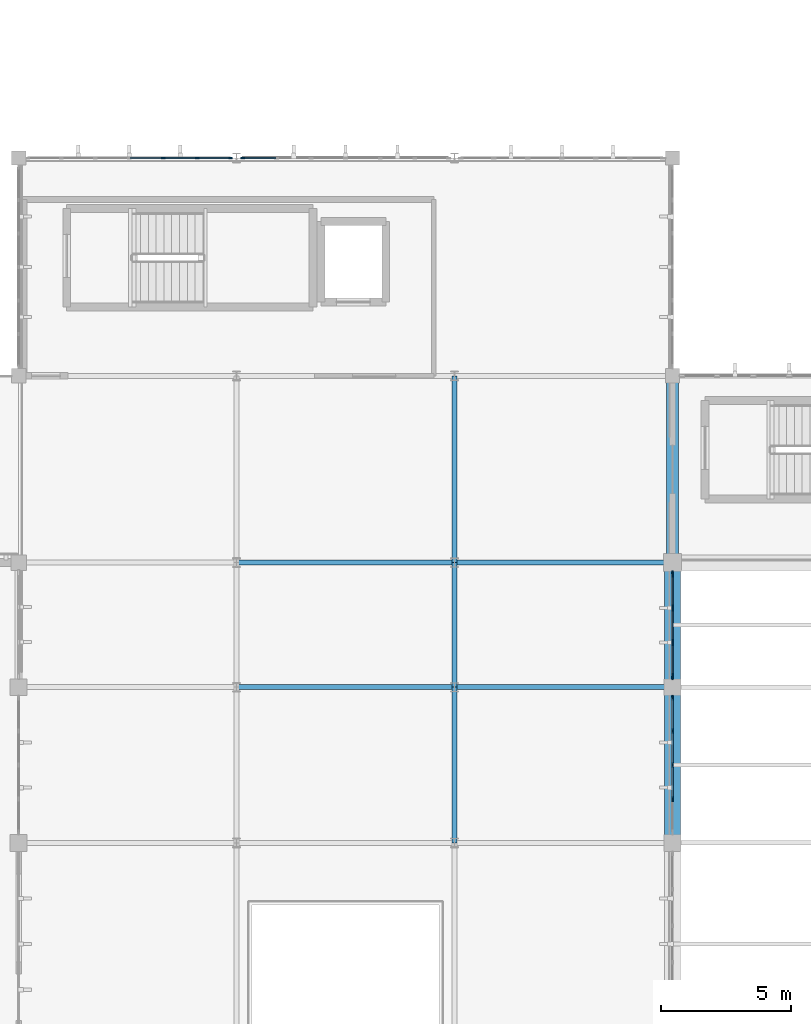
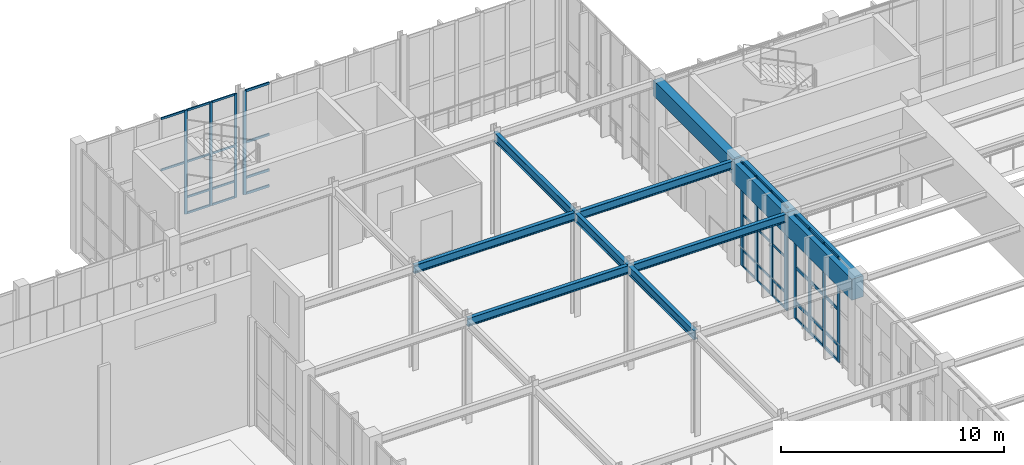
# One storey, part 36 of 105: 50 members, 10 beams, 4 elements without a shape of their own.
"""IFC4 building model written with IfcOpenShell, lengths in metres."""

from ifc_helpers import new_model, si_unit, direction, frame, origin, origin_2d, place, context, subcontext, project, spatial, rectangle, i_section, extrude, material, material_profile, profile_set, type_object, element, aggregate, save


model = new_model("IFC4")

# Units and contexts
model_context = context("Model", 3, precision=1e-05, world=origin(), true_north=direction((0.0, 1.0)))
body_context = subcontext(model_context, "Body", "Model", "MODEL_VIEW")
ifc_project = project(units=[si_unit("LENGTHUNIT", "METRE"), si_unit("AREAUNIT", "SQUARE_METRE"), si_unit("VOLUMEUNIT", "CUBIC_METRE"), si_unit("PLANEANGLEUNIT", "RADIAN"), si_unit("MASSUNIT", "GRAM", prefix="KILO")], contexts=[model_context])

# Site, building, storey
site_placement = place(None, origin())
site = spatial("IfcSite", under=ifc_project, at=site_placement, CompositionType="ELEMENT")
building_placement = place(site_placement, origin())
building = spatial("IfcBuilding", under=site, at=building_placement, Name="Tizgana Railside Sports Hall", CompositionType="ELEMENT")
storey_placement = place(building_placement, frame((0.0, 0.0, 6.0)))
storey = spatial("IfcBuildingStorey", under=building, at=storey_placement, Name="L01", CompositionType="ELEMENT", Elevation=6.0)

# Beams
ifc_material_1 = material(Name="Concrete C40/50", Category="concrete")
ifc_material_profile_1 = material_profile(ifc_material_1, rectangle(XDim=0.449951171875, YDim=0.85009765625, at=origin_2d()), Name="RCB 450x850")
ifc_profile_set_1 = profile_set([ifc_material_profile_1], Name="Concrete C40/50")
beam_type_1 = type_object("IfcBeamType", Name="Concrete Beam RCB 450x850", PredefinedType="BEAM", material=ifc_profile_set_1)
beam_1_placement = place(storey_placement, frame((79.800048828125, 73.199951171875, 5.2109375), z_axis=(0.0, 1.0, 0.0), x_axis=(-1.0, 0.0, 0.0)))
element("IfcBeam", 1, at=beam_1_placement, inside=storey, type_object=beam_type_1, Name="L01 BEM-0249", PredefinedType="BEAM", context=body_context, shape_type="SweptSolid", body=[
    extrude(rectangle(XDim=0.449951171875, YDim=0.85009765625, at=origin_2d()), origin(), (0.0, 0.0, 1.0), 7.199951171875),
])
ifc_material_profile_2 = material_profile(ifc_material_1, rectangle(XDim=0.60009765625, YDim=1.14990234375, at=origin_2d()), Name="RCB 600x1150")
ifc_profile_set_2 = profile_set([ifc_material_profile_2], Name="Concrete C40/50")
beam_type_2 = type_object("IfcBeamType", Name="Concrete Beam RCB 600x1150", PredefinedType="BEAM", material=ifc_profile_set_2)
beam_2_placement = place(storey_placement, frame((79.800048828125, 62.39990234375, 5.06103515625), z_axis=(0.0, 1.0, 0.0), x_axis=(-1.0, 0.0, 0.0)))
element("IfcBeam", 2, at=beam_2_placement, inside=storey, type_object=beam_type_2, Name="L01 CBG-0004", PredefinedType="BEAM", context=body_context, shape_type="SweptSolid", body=[
    extrude(rectangle(XDim=0.60009765625, YDim=1.14990234375, at=origin_2d()), origin(), (0.0, 0.0, 1.0), 6.0),
])
beam_3_placement = place(storey_placement, frame((79.800048828125, 68.39990234375, 5.06103515625), z_axis=(0.0, 1.0, 0.0), x_axis=(-1.0, 0.0, 0.0)))
element("IfcBeam", 3, at=beam_3_placement, inside=storey, type_object=beam_type_2, Name="L01 CBG-0005", PredefinedType="BEAM", context=body_context, shape_type="SweptSolid", body=[
    extrude(rectangle(XDim=0.60009765625, YDim=1.14990234375, at=origin_2d()), origin(), (0.0, 0.0, 1.0), 4.800048828125),
])

# Curtain wall, members
ifc_material_2 = material(Name="Anodised aluminium and glass", Category="aluminium")
curtain_wall_type_1 = type_object("IfcCurtainWallType", Name="Unitised Curtain Wall Clinic 1200", PredefinedType="NOTDEFINED", material=ifc_material_2)
curtain_wall_1_placement = place(storey_placement, origin())
curtain_wall_1 = element("IfcCurtainWall", 4, at=curtain_wall_1_placement, inside=storey, type_object=curtain_wall_type_1, Name="L01 Curtain Wall CW-0036", PredefinedType="NOTDEFINED")
ifc_material_3 = material(Name="Anodised aluminium", Category="aluminium")
ifc_material_profile_3 = material_profile(ifc_material_3, rectangle(XDim=0.06005859375, YDim=0.139892578125, at=origin_2d()), Name="Mullion 60x140")
ifc_profile_set_3 = profile_set([ifc_material_profile_3], Name="Anodised aluminium")
member_type_1 = type_object("IfcMemberType", Name="Mullion 60x140", PredefinedType="MULLION", material=ifc_profile_set_3)
member_1_placement = place(storey_placement, frame((60.17333984375, 88.800048828125, 0.0), z_axis=(0.0, 0.0, 1.0), x_axis=(0.0, 1.0, 0.0)))
member_1 = element("IfcMember", 5, at=member_1_placement, type_object=member_type_1, Name="CW-05 mullion 5", PredefinedType="MULLION", context=body_context, shape_type="SweptSolid", body=[
    extrude(rectangle(XDim=0.06005859375, YDim=0.139892578125, at=origin_2d()), origin(), (0.0, 0.0, 1.0), 5.68994140625),
])
member_2_placement = place(storey_placement, frame((61.484130859375, 88.800048828125, 0.0), z_axis=(0.0, 0.0, 1.0), x_axis=(0.0, 1.0, 0.0)))
member_2 = element("IfcMember", 6, at=member_2_placement, type_object=member_type_1, Name="CW-05 mullion 6", PredefinedType="MULLION", context=body_context, shape_type="SweptSolid", body=[
    extrude(rectangle(XDim=0.06005859375, YDim=0.139892578125, at=origin_2d()), origin(), (0.0, 0.0, 1.0), 5.68994140625),
])
member_3_placement = place(storey_placement, frame((62.764892578125, 88.800048828125, 0.0), z_axis=(0.0, 0.0, 1.0), x_axis=(0.0, 1.0, 0.0)))
member_3 = element("IfcMember", 7, at=member_3_placement, type_object=member_type_1, Name="CW-05 mullion 7", PredefinedType="MULLION", context=body_context, shape_type="SweptSolid", body=[
    extrude(rectangle(XDim=0.06005859375, YDim=0.139892578125, at=origin_2d()), origin(), (0.0, 0.0, 1.0), 5.68994140625),
])

# Curtain wall, member
curtain_wall_type_2 = type_object("IfcCurtainWallType", Name="Unitised Curtain Wall Passage 1800", PredefinedType="NOTDEFINED", material=ifc_material_2)
curtain_wall_2_placement = place(storey_placement, origin())
curtain_wall_2 = element("IfcCurtainWall", 8, at=curtain_wall_2_placement, inside=storey, type_object=curtain_wall_type_2, Name="L01 Curtain Wall CW-0037", PredefinedType="NOTDEFINED")
ifc_material_profile_4 = material_profile(ifc_material_3, rectangle(XDim=0.06005859375, YDim=0.159912109375, at=origin_2d()), Name="Mullion 60x160")
ifc_profile_set_4 = profile_set([ifc_material_profile_4], Name="Anodised aluminium")
member_type_2 = type_object("IfcMemberType", Name="Mullion 60x160", PredefinedType="MULLION", material=ifc_profile_set_4)
member_4_placement = place(storey_placement, frame((63.235107421875, 88.800048828125, 0.0), z_axis=(0.0, 0.0, 1.0), x_axis=(0.0, 1.0, 0.0)))
member_4 = element("IfcMember", 9, at=member_4_placement, type_object=member_type_2, Name="CW-06 mullion 1", PredefinedType="MULLION", context=body_context, shape_type="SweptSolid", body=[
    extrude(rectangle(XDim=0.06005859375, YDim=0.159912109375, at=origin_2d()), origin(), (0.0, 0.0, 1.0), 5.68994140625),
])

# Curtain wall, members
curtain_wall_3_placement = place(storey_placement, origin())
curtain_wall_3 = element("IfcCurtainWall", 10, at=curtain_wall_3_placement, inside=storey, type_object=curtain_wall_type_2, Name="L01 Curtain Wall CW-0165", PredefinedType="NOTDEFINED")
ifc_material_profile_5 = material_profile(ifc_material_3, rectangle(XDim=0.06494140625, YDim=0.199951171875, at=origin_2d()), Name="Mullion 65x200")
ifc_profile_set_5 = profile_set([ifc_material_profile_5], Name="Anodised aluminium")
member_type_3 = type_object("IfcMemberType", Name="Mullion 65x200", PredefinedType="MULLION", material=ifc_profile_set_5)
member_5_placement = place(storey_placement, frame((79.800048828125, 64.090087890625, 0.0), z_axis=(0.0, 0.0, 1.0), x_axis=(-1.0, 0.0, 0.0)))
member_5 = element("IfcMember", 11, at=member_5_placement, type_object=member_type_3, Name="CW-06 mullion 2", PredefinedType="MULLION", context=body_context, shape_type="SweptSolid", body=[
    extrude(rectangle(XDim=0.06494140625, YDim=0.199951171875, at=origin_2d()), origin(), (0.0, 0.0, 1.0), 5.68994140625),
])
member_6_placement = place(storey_placement, frame((79.800048828125, 65.39990234375, 0.0), z_axis=(0.0, 0.0, 1.0), x_axis=(-1.0, 0.0, 0.0)))
member_6 = element("IfcMember", 12, at=member_6_placement, type_object=member_type_3, Name="CW-06 mullion 3", PredefinedType="MULLION", context=body_context, shape_type="SweptSolid", body=[
    extrude(rectangle(XDim=0.06494140625, YDim=0.199951171875, at=origin_2d()), origin(), (0.0, 0.0, 1.0), 5.68994140625),
])
member_7_placement = place(storey_placement, frame((79.800048828125, 66.7099609375, 0.0), z_axis=(0.0, 0.0, 1.0), x_axis=(-1.0, 0.0, 0.0)))
member_7 = element("IfcMember", 13, at=member_7_placement, type_object=member_type_3, Name="CW-06 mullion 4", PredefinedType="MULLION", context=body_context, shape_type="SweptSolid", body=[
    extrude(rectangle(XDim=0.06494140625, YDim=0.199951171875, at=origin_2d()), origin(), (0.0, 0.0, 1.0), 5.68994140625),
])
member_8_placement = place(storey_placement, frame((79.800048828125, 67.987548828125, 0.0), z_axis=(0.0, 0.0, 1.0), x_axis=(-1.0, 0.0, 0.0)))
member_8 = element("IfcMember", 14, at=member_8_placement, type_object=member_type_3, Name="CW-06 mullion 5", PredefinedType="MULLION", context=body_context, shape_type="SweptSolid", body=[
    extrude(rectangle(XDim=0.06494140625, YDim=0.199951171875, at=origin_2d()), origin(), (0.0, 0.0, 1.0), 5.68994140625),
])

curtain_wall_type_3 = type_object("IfcCurtainWallType", Name="Unitised Curtain Wall EastHall 1500", PredefinedType="NOTDEFINED", material=ifc_material_2)
curtain_wall_4_placement = place(storey_placement, origin())
curtain_wall_4 = element("IfcCurtainWall", 15, at=curtain_wall_4_placement, inside=storey, type_object=curtain_wall_type_3, Name="L01 Curtain Wall CW-0167", PredefinedType="NOTDEFINED")
ifc_material_profile_6 = material_profile(ifc_material_3, rectangle(XDim=0.074951171875, YDim=0.25, at=origin_2d()), Name="Mullion 75x250")
ifc_profile_set_6 = profile_set([ifc_material_profile_6], Name="Anodised aluminium")
member_type_4 = type_object("IfcMemberType", Name="Mullion 75x250", PredefinedType="MULLION", material=ifc_profile_set_6)
member_9_placement = place(storey_placement, frame((79.800048828125, 68.8173828125, 0.0), z_axis=(0.0, 0.0, 1.0), x_axis=(-1.0, 0.0, 0.0)))
member_9 = element("IfcMember", 16, at=member_9_placement, type_object=member_type_4, Name="CW-08 mullion 1", PredefinedType="MULLION", context=body_context, shape_type="SweptSolid", body=[
    extrude(rectangle(XDim=0.074951171875, YDim=0.25, at=origin_2d()), origin(), (0.0, 0.0, 1.0), 5.68994140625),
])
member_10_placement = place(storey_placement, frame((79.800048828125, 70.118408203125, 0.0), z_axis=(0.0, 0.0, 1.0), x_axis=(-1.0, 0.0, 0.0)))
member_10 = element("IfcMember", 17, at=member_10_placement, type_object=member_type_4, Name="CW-08 mullion 2", PredefinedType="MULLION", context=body_context, shape_type="SweptSolid", body=[
    extrude(rectangle(XDim=0.074951171875, YDim=0.25, at=origin_2d()), origin(), (0.0, 0.0, 1.0), 5.68994140625),
])
member_11_placement = place(storey_placement, frame((79.800048828125, 71.456787109375, 0.0), z_axis=(0.0, 0.0, 1.0), x_axis=(-1.0, 0.0, 0.0)))
member_11 = element("IfcMember", 18, at=member_11_placement, type_object=member_type_4, Name="CW-08 mullion 3", PredefinedType="MULLION", context=body_context, shape_type="SweptSolid", body=[
    extrude(rectangle(XDim=0.074951171875, YDim=0.25, at=origin_2d()), origin(), (0.0, 0.0, 1.0), 5.68994140625),
])
member_12_placement = place(storey_placement, frame((79.800048828125, 72.757568359375, 0.0), z_axis=(0.0, 0.0, 1.0), x_axis=(-1.0, 0.0, 0.0)))
member_12 = element("IfcMember", 19, at=member_12_placement, type_object=member_type_4, Name="CW-08 mullion 4", PredefinedType="MULLION", context=body_context, shape_type="SweptSolid", body=[
    extrude(rectangle(XDim=0.074951171875, YDim=0.25, at=origin_2d()), origin(), (0.0, 0.0, 1.0), 5.68994140625),
])

# Beams
ifc_material_4 = material(Name="Steel S355J2", Category="steel")
ifc_material_profile_7 = material_profile(ifc_material_4, i_section(OverallWidth=0.18994140625, OverallDepth=0.449951171875, WebThickness=0.009521484375, FlangeThickness=0.0146484375, FilletRadius=0.02099609375, at=origin_2d()), Name="IPE 450")
ifc_profile_set_7 = profile_set([ifc_material_profile_7], Name="Steel S355J2")
beam_type_3 = type_object("IfcBeamType", Name="Steel Beam IPE 450", PredefinedType="BEAM", material=ifc_profile_set_7)
for number, where, z_axis, x_axis, name in (
    (20, (63.0, 68.39990234375, 5.4609375), (1.0, 0.0, 0.0), (0.0, 1.0, 0.0), "L01 BEM-0978"),
    (21, (63.0, 73.199951171875, 5.4609375), (1.0, 0.0, 0.0), (0.0, 1.0, 0.0), "L01 BEM-0979"),
):
    element("IfcBeam", number, at=place(storey_placement, frame(where, z_axis=z_axis, x_axis=x_axis)), inside=storey, type_object=beam_type_3, Name=name, PredefinedType="BEAM", context=body_context, shape_type="SweptSolid", body=[
        extrude(i_section(OverallWidth=0.18994140625, OverallDepth=0.449951171875, WebThickness=0.009521484375, FlangeThickness=0.0146484375, FilletRadius=0.02099609375, at=origin_2d()), origin(), (0.0, 0.0, 1.0), 8.39990234375),
    ])
for number, where, z_axis, x_axis, name in (
    (22, (71.39990234375, 68.39990234375, 5.410888671875), (1.0, 0.0, 0.0), (0.0, 1.0, 0.0), "L01 BEM-0985"),
    (23, (71.39990234375, 73.199951171875, 5.410888671875), (1.0, 0.0, 0.0), (0.0, 1.0, 0.0), "L01 BEM-0986"),
):
    element("IfcBeam", number, at=place(storey_placement, frame(where, z_axis=z_axis, x_axis=x_axis)), inside=storey, type_object=beam_type_3, Name=name, PredefinedType="BEAM", context=body_context, shape_type="SweptSolid", body=[
        extrude(i_section(OverallWidth=0.18994140625, OverallDepth=0.449951171875, WebThickness=0.009521484375, FlangeThickness=0.0146484375, FilletRadius=0.02099609375, at=origin_2d()), origin(), (0.0, 0.0, 1.0), 8.400146484375),
    ])
ifc_material_profile_8 = material_profile(ifc_material_4, i_section(OverallWidth=0.199951171875, OverallDepth=0.5, WebThickness=0.01025390625, FlangeThickness=0.01611328125, FilletRadius=0.02099609375, at=origin_2d()), Name="IPE 500")
ifc_profile_set_8 = profile_set([ifc_material_profile_8], Name="Steel S355J2")
beam_type_4 = type_object("IfcBeamType", Name="Steel Beam IPE 500", PredefinedType="BEAM", material=ifc_profile_set_8)
beam_4_placement = place(storey_placement, frame((71.39990234375, 62.39990234375, 5.43603515625), z_axis=(0.0, 1.0, 0.0), x_axis=(-1.0, 0.0, 0.0)))
element("IfcBeam", 24, at=beam_4_placement, inside=storey, type_object=beam_type_4, Name="L01 BEM-0963", PredefinedType="BEAM", context=body_context, shape_type="SweptSolid", body=[
    extrude(i_section(OverallWidth=0.199951171875, OverallDepth=0.5, WebThickness=0.01025390625, FlangeThickness=0.01611328125, FilletRadius=0.02099609375, at=origin_2d()), origin(), (0.0, 0.0, 1.0), 6.0),
])
beam_5_placement = place(storey_placement, frame((71.39990234375, 68.39990234375, 5.43603515625), z_axis=(0.0, 1.0, 0.0), x_axis=(-1.0, 0.0, 0.0)))
element("IfcBeam", 25, at=beam_5_placement, inside=storey, type_object=beam_type_4, Name="L01 BEM-0964", PredefinedType="BEAM", context=body_context, shape_type="SweptSolid", body=[
    extrude(i_section(OverallWidth=0.199951171875, OverallDepth=0.5, WebThickness=0.01025390625, FlangeThickness=0.01611328125, FilletRadius=0.02099609375, at=origin_2d()), origin(), (0.0, 0.0, 1.0), 4.800048828125),
])
beam_6_placement = place(storey_placement, frame((71.39990234375, 73.199951171875, 5.43603515625), z_axis=(0.0, 1.0, 0.0), x_axis=(-1.0, 0.0, 0.0)))
element("IfcBeam", 26, at=beam_6_placement, inside=storey, type_object=beam_type_4, Name="L01 BEM-0965", PredefinedType="BEAM", context=body_context, shape_type="SweptSolid", body=[
    extrude(i_section(OverallWidth=0.199951171875, OverallDepth=0.5, WebThickness=0.01025390625, FlangeThickness=0.01611328125, FilletRadius=0.02099609375, at=origin_2d()), origin(), (0.0, 0.0, 1.0), 7.199951171875),
])

# Member
ifc_material_profile_9 = material_profile(ifc_material_3, rectangle(XDim=0.054931640625, YDim=0.1201171875, at=origin_2d()), Name="Transom 55x120")
ifc_profile_set_9 = profile_set([ifc_material_profile_9], Name="Anodised aluminium")
member_type_5 = type_object("IfcMemberType", Name="Transom 55x120", PredefinedType="USERDEFINED", material=ifc_profile_set_9)
member_13_placement = place(storey_placement, frame((79.800048828125, 68.85498046875, 0.027587890625), z_axis=(0.0, 1.0, 0.0), x_axis=(-1.0, 0.0, 0.0)))
member_13 = element("IfcMember", 27, at=member_13_placement, type_object=member_type_5, Name="CW-08 transom 1.1", ObjectType="TRANSOM", PredefinedType="USERDEFINED", context=body_context, shape_type="SweptSolid", body=[
    extrude(rectangle(XDim=0.054931640625, YDim=0.1201171875, at=origin_2d()), origin(), (0.0, 0.0, 1.0), 1.225830078125),
])

member_14_placement = place(storey_placement, frame((79.800048828125, 68.85498046875, 0.89990234375), z_axis=(0.0, 1.0, 0.0), x_axis=(-1.0, 0.0, 0.0)))
member_14 = element("IfcMember", 28, at=member_14_placement, type_object=member_type_5, Name="CW-08 transom 1.2", ObjectType="TRANSOM", PredefinedType="USERDEFINED", context=body_context, shape_type="SweptSolid", body=[
    extrude(rectangle(XDim=0.054931640625, YDim=0.1201171875, at=origin_2d()), origin(), (0.0, 0.0, 1.0), 1.225830078125),
])

member_15_placement = place(storey_placement, frame((79.800048828125, 68.85498046875, 2.844970703125), z_axis=(0.0, 1.0, 0.0), x_axis=(-1.0, 0.0, 0.0)))
member_15 = element("IfcMember", 29, at=member_15_placement, type_object=member_type_5, Name="CW-08 transom 1.3", ObjectType="TRANSOM", PredefinedType="USERDEFINED", context=body_context, shape_type="SweptSolid", body=[
    extrude(rectangle(XDim=0.054931640625, YDim=0.1201171875, at=origin_2d()), origin(), (0.0, 0.0, 1.0), 1.225830078125),
])

member_16_placement = place(storey_placement, frame((79.800048828125, 68.85498046875, 5.66259765625), z_axis=(0.0, 1.0, 0.0), x_axis=(-1.0, 0.0, 0.0)))
member_16 = element("IfcMember", 30, at=member_16_placement, type_object=member_type_5, Name="CW-08 transom 1.4", ObjectType="TRANSOM", PredefinedType="USERDEFINED", context=body_context, shape_type="SweptSolid", body=[
    extrude(rectangle(XDim=0.054931640625, YDim=0.1201171875, at=origin_2d()), origin(), (0.0, 0.0, 1.0), 1.225830078125),
])

member_17_placement = place(storey_placement, frame((79.800048828125, 70.15576171875, 0.027587890625), z_axis=(0.0, 1.0, 0.0), x_axis=(-1.0, 0.0, 0.0)))
member_17 = element("IfcMember", 31, at=member_17_placement, type_object=member_type_5, Name="CW-08 transom 2.1", ObjectType="TRANSOM", PredefinedType="USERDEFINED", context=body_context, shape_type="SweptSolid", body=[
    extrude(rectangle(XDim=0.054931640625, YDim=0.1201171875, at=origin_2d()), origin(), (0.0, 0.0, 1.0), 1.263427734375),
])

member_18_placement = place(storey_placement, frame((79.800048828125, 70.15576171875, 0.89990234375), z_axis=(0.0, 1.0, 0.0), x_axis=(-1.0, 0.0, 0.0)))
member_18 = element("IfcMember", 32, at=member_18_placement, type_object=member_type_5, Name="CW-08 transom 2.2", ObjectType="TRANSOM", PredefinedType="USERDEFINED", context=body_context, shape_type="SweptSolid", body=[
    extrude(rectangle(XDim=0.054931640625, YDim=0.1201171875, at=origin_2d()), origin(), (0.0, 0.0, 1.0), 1.263427734375),
])

member_19_placement = place(storey_placement, frame((79.800048828125, 70.15576171875, 2.844970703125), z_axis=(0.0, 1.0, 0.0), x_axis=(-1.0, 0.0, 0.0)))
member_19 = element("IfcMember", 33, at=member_19_placement, type_object=member_type_5, Name="CW-08 transom 2.3", ObjectType="TRANSOM", PredefinedType="USERDEFINED", context=body_context, shape_type="SweptSolid", body=[
    extrude(rectangle(XDim=0.054931640625, YDim=0.1201171875, at=origin_2d()), origin(), (0.0, 0.0, 1.0), 1.263427734375),
])

member_20_placement = place(storey_placement, frame((79.800048828125, 70.15576171875, 5.66259765625), z_axis=(0.0, 1.0, 0.0), x_axis=(-1.0, 0.0, 0.0)))
member_20 = element("IfcMember", 34, at=member_20_placement, type_object=member_type_5, Name="CW-08 transom 2.4", ObjectType="TRANSOM", PredefinedType="USERDEFINED", context=body_context, shape_type="SweptSolid", body=[
    extrude(rectangle(XDim=0.054931640625, YDim=0.1201171875, at=origin_2d()), origin(), (0.0, 0.0, 1.0), 1.263427734375),
])

member_21_placement = place(storey_placement, frame((79.800048828125, 71.494140625, 0.027587890625), z_axis=(0.0, 1.0, 0.0), x_axis=(-1.0, 0.0, 0.0)))
member_21 = element("IfcMember", 35, at=member_21_placement, type_object=member_type_5, Name="CW-08 transom 3.1", ObjectType="TRANSOM", PredefinedType="USERDEFINED", context=body_context, shape_type="SweptSolid", body=[
    extrude(rectangle(XDim=0.054931640625, YDim=0.1201171875, at=origin_2d()), origin(), (0.0, 0.0, 1.0), 1.225830078125),
])

member_22_placement = place(storey_placement, frame((79.800048828125, 71.494140625, 0.89990234375), z_axis=(0.0, 1.0, 0.0), x_axis=(-1.0, 0.0, 0.0)))
member_22 = element("IfcMember", 36, at=member_22_placement, type_object=member_type_5, Name="CW-08 transom 3.2", ObjectType="TRANSOM", PredefinedType="USERDEFINED", context=body_context, shape_type="SweptSolid", body=[
    extrude(rectangle(XDim=0.054931640625, YDim=0.1201171875, at=origin_2d()), origin(), (0.0, 0.0, 1.0), 1.225830078125),
])

member_23_placement = place(storey_placement, frame((79.800048828125, 71.494140625, 2.844970703125), z_axis=(0.0, 1.0, 0.0), x_axis=(-1.0, 0.0, 0.0)))
member_23 = element("IfcMember", 37, at=member_23_placement, type_object=member_type_5, Name="CW-08 transom 3.3", ObjectType="TRANSOM", PredefinedType="USERDEFINED", context=body_context, shape_type="SweptSolid", body=[
    extrude(rectangle(XDim=0.054931640625, YDim=0.1201171875, at=origin_2d()), origin(), (0.0, 0.0, 1.0), 1.225830078125),
])

member_24_placement = place(storey_placement, frame((79.800048828125, 71.494140625, 5.66259765625), z_axis=(0.0, 1.0, 0.0), x_axis=(-1.0, 0.0, 0.0)))
member_24 = element("IfcMember", 38, at=member_24_placement, type_object=member_type_5, Name="CW-08 transom 3.4", ObjectType="TRANSOM", PredefinedType="USERDEFINED", context=body_context, shape_type="SweptSolid", body=[
    extrude(rectangle(XDim=0.054931640625, YDim=0.1201171875, at=origin_2d()), origin(), (0.0, 0.0, 1.0), 1.225830078125),
])

aggregate(curtain_wall_4, [member_9, member_10, member_11, member_12, member_13, member_14, member_15, member_16, member_17, member_18, member_19, member_20, member_21, member_22, member_23, member_24])

ifc_material_profile_10 = material_profile(ifc_material_3, rectangle(XDim=0.06005859375, YDim=0.110107421875, at=origin_2d()), Name="Transom 60x110")
ifc_profile_set_10 = profile_set([ifc_material_profile_10], Name="Anodised aluminium")
member_type_6 = type_object("IfcMemberType", Name="Transom 60x110", PredefinedType="USERDEFINED", material=ifc_profile_set_10)
member_25_placement = place(storey_placement, frame((58.892578125, 88.800048828125, 2.844970703125), z_axis=(1.0, 0.0, 0.0), x_axis=(0.0, 1.0, 0.0)))
member_25 = element("IfcMember", 39, at=member_25_placement, type_object=member_type_6, Name="CW-05 transom 4.3", ObjectType="TRANSOM", PredefinedType="USERDEFINED", context=body_context, shape_type="SweptSolid", body=[
    extrude(rectangle(XDim=0.06005859375, YDim=0.110107421875, at=origin_2d()), origin(), (0.0, 0.0, 1.0), 1.250732421875),
])

member_26_placement = place(storey_placement, frame((58.892578125, 88.800048828125, 5.659912109375), z_axis=(1.0, 0.0, 0.0), x_axis=(0.0, 1.0, 0.0)))
member_26 = element("IfcMember", 40, at=member_26_placement, type_object=member_type_6, Name="CW-05 transom 4.4", ObjectType="TRANSOM", PredefinedType="USERDEFINED", context=body_context, shape_type="SweptSolid", body=[
    extrude(rectangle(XDim=0.06005859375, YDim=0.110107421875, at=origin_2d()), origin(), (0.0, 0.0, 1.0), 1.250732421875),
])

member_27_placement = place(storey_placement, frame((60.203369140625, 88.800048828125, 0.030029296875), z_axis=(1.0, 0.0, 0.0), x_axis=(0.0, 1.0, 0.0)))
member_27 = element("IfcMember", 41, at=member_27_placement, type_object=member_type_6, Name="CW-05 transom 5.1", ObjectType="TRANSOM", PredefinedType="USERDEFINED", context=body_context, shape_type="SweptSolid", body=[
    extrude(rectangle(XDim=0.06005859375, YDim=0.110107421875, at=origin_2d()), origin(), (0.0, 0.0, 1.0), 1.250732421875),
])

member_28_placement = place(storey_placement, frame((60.203369140625, 88.800048828125, 0.89990234375), z_axis=(1.0, 0.0, 0.0), x_axis=(0.0, 1.0, 0.0)))
member_28 = element("IfcMember", 42, at=member_28_placement, type_object=member_type_6, Name="CW-05 transom 5.2", ObjectType="TRANSOM", PredefinedType="USERDEFINED", context=body_context, shape_type="SweptSolid", body=[
    extrude(rectangle(XDim=0.06005859375, YDim=0.110107421875, at=origin_2d()), origin(), (0.0, 0.0, 1.0), 1.250732421875),
])

member_29_placement = place(storey_placement, frame((60.203369140625, 88.800048828125, 2.844970703125), z_axis=(1.0, 0.0, 0.0), x_axis=(0.0, 1.0, 0.0)))
member_29 = element("IfcMember", 43, at=member_29_placement, type_object=member_type_6, Name="CW-05 transom 5.3", ObjectType="TRANSOM", PredefinedType="USERDEFINED", context=body_context, shape_type="SweptSolid", body=[
    extrude(rectangle(XDim=0.06005859375, YDim=0.110107421875, at=origin_2d()), origin(), (0.0, 0.0, 1.0), 1.250732421875),
])

member_30_placement = place(storey_placement, frame((60.203369140625, 88.800048828125, 5.659912109375), z_axis=(1.0, 0.0, 0.0), x_axis=(0.0, 1.0, 0.0)))
member_30 = element("IfcMember", 44, at=member_30_placement, type_object=member_type_6, Name="CW-05 transom 5.4", ObjectType="TRANSOM", PredefinedType="USERDEFINED", context=body_context, shape_type="SweptSolid", body=[
    extrude(rectangle(XDim=0.06005859375, YDim=0.110107421875, at=origin_2d()), origin(), (0.0, 0.0, 1.0), 1.250732421875),
])

member_31_placement = place(storey_placement, frame((61.51416015625, 88.800048828125, 0.030029296875), z_axis=(1.0, 0.0, 0.0), x_axis=(0.0, 1.0, 0.0)))
member_31 = element("IfcMember", 45, at=member_31_placement, type_object=member_type_6, Name="CW-05 transom 6.1", ObjectType="TRANSOM", PredefinedType="USERDEFINED", context=body_context, shape_type="SweptSolid", body=[
    extrude(rectangle(XDim=0.06005859375, YDim=0.110107421875, at=origin_2d()), origin(), (0.0, 0.0, 1.0), 1.220947265625),
])

member_32_placement = place(storey_placement, frame((61.51416015625, 88.800048828125, 0.89990234375), z_axis=(1.0, 0.0, 0.0), x_axis=(0.0, 1.0, 0.0)))
member_32 = element("IfcMember", 46, at=member_32_placement, type_object=member_type_6, Name="CW-05 transom 6.2", ObjectType="TRANSOM", PredefinedType="USERDEFINED", context=body_context, shape_type="SweptSolid", body=[
    extrude(rectangle(XDim=0.06005859375, YDim=0.110107421875, at=origin_2d()), origin(), (0.0, 0.0, 1.0), 1.220947265625),
])

member_33_placement = place(storey_placement, frame((61.51416015625, 88.800048828125, 2.844970703125), z_axis=(1.0, 0.0, 0.0), x_axis=(0.0, 1.0, 0.0)))
member_33 = element("IfcMember", 47, at=member_33_placement, type_object=member_type_6, Name="CW-05 transom 6.3", ObjectType="TRANSOM", PredefinedType="USERDEFINED", context=body_context, shape_type="SweptSolid", body=[
    extrude(rectangle(XDim=0.06005859375, YDim=0.110107421875, at=origin_2d()), origin(), (0.0, 0.0, 1.0), 1.220947265625),
])

member_34_placement = place(storey_placement, frame((61.51416015625, 88.800048828125, 5.659912109375), z_axis=(1.0, 0.0, 0.0), x_axis=(0.0, 1.0, 0.0)))
member_34 = element("IfcMember", 48, at=member_34_placement, type_object=member_type_6, Name="CW-05 transom 6.4", ObjectType="TRANSOM", PredefinedType="USERDEFINED", context=body_context, shape_type="SweptSolid", body=[
    extrude(rectangle(XDim=0.06005859375, YDim=0.110107421875, at=origin_2d()), origin(), (0.0, 0.0, 1.0), 1.220947265625),
])

aggregate(curtain_wall_1, [member_1, member_2, member_3, member_25, member_26, member_27, member_28, member_29, member_30, member_31, member_32, member_33, member_34])

ifc_material_profile_11 = material_profile(ifc_material_3, rectangle(XDim=0.06005859375, YDim=0.1298828125, at=origin_2d()), Name="Transom 60x130")
ifc_profile_set_11 = profile_set([ifc_material_profile_11], Name="Anodised aluminium")
member_type_7 = type_object("IfcMemberType", Name="Transom 60x130", PredefinedType="USERDEFINED", material=ifc_profile_set_11)
member_35_placement = place(storey_placement, frame((63.264892578125, 88.800048828125, 0.030029296875), z_axis=(1.0, 0.0, 0.0), x_axis=(0.0, 1.0, 0.0)))
member_35 = element("IfcMember", 49, at=member_35_placement, type_object=member_type_7, Name="CW-06 transom 1.1", ObjectType="TRANSOM", PredefinedType="USERDEFINED", context=body_context, shape_type="SweptSolid", body=[
    extrude(rectangle(XDim=0.06005859375, YDim=0.1298828125, at=origin_2d()), origin(), (0.0, 0.0, 1.0), 1.24169921875),
])

member_36_placement = place(storey_placement, frame((63.264892578125, 88.800048828125, 0.89990234375), z_axis=(1.0, 0.0, 0.0), x_axis=(0.0, 1.0, 0.0)))
member_36 = element("IfcMember", 50, at=member_36_placement, type_object=member_type_7, Name="CW-06 transom 1.2", ObjectType="TRANSOM", PredefinedType="USERDEFINED", context=body_context, shape_type="SweptSolid", body=[
    extrude(rectangle(XDim=0.06005859375, YDim=0.1298828125, at=origin_2d()), origin(), (0.0, 0.0, 1.0), 1.24169921875),
])

member_37_placement = place(storey_placement, frame((63.264892578125, 88.800048828125, 2.844970703125), z_axis=(1.0, 0.0, 0.0), x_axis=(0.0, 1.0, 0.0)))
member_37 = element("IfcMember", 51, at=member_37_placement, type_object=member_type_7, Name="CW-06 transom 1.3", ObjectType="TRANSOM", PredefinedType="USERDEFINED", context=body_context, shape_type="SweptSolid", body=[
    extrude(rectangle(XDim=0.06005859375, YDim=0.1298828125, at=origin_2d()), origin(), (0.0, 0.0, 1.0), 1.24169921875),
])

member_38_placement = place(storey_placement, frame((63.264892578125, 88.800048828125, 5.659912109375), z_axis=(1.0, 0.0, 0.0), x_axis=(0.0, 1.0, 0.0)))
member_38 = element("IfcMember", 52, at=member_38_placement, type_object=member_type_7, Name="CW-06 transom 1.4", ObjectType="TRANSOM", PredefinedType="USERDEFINED", context=body_context, shape_type="SweptSolid", body=[
    extrude(rectangle(XDim=0.06005859375, YDim=0.1298828125, at=origin_2d()), origin(), (0.0, 0.0, 1.0), 1.24169921875),
])

aggregate(curtain_wall_2, [member_4, member_35, member_36, member_37, member_38])

ifc_material_profile_12 = material_profile(ifc_material_3, rectangle(XDim=0.06494140625, YDim=0.169921875, at=origin_2d()), Name="Transom 65x170")
ifc_profile_set_12 = profile_set([ifc_material_profile_12], Name="Anodised aluminium")
member_type_8 = type_object("IfcMemberType", Name="Transom 65x170", PredefinedType="USERDEFINED", material=ifc_profile_set_12)
member_39_placement = place(storey_placement, frame((79.800048828125, 64.12255859375, 0.032470703125), z_axis=(0.0, 1.0, 0.0), x_axis=(-1.0, 0.0, 0.0)))
member_39 = element("IfcMember", 53, at=member_39_placement, type_object=member_type_8, Name="CW-06 transom 2.1", ObjectType="TRANSOM", PredefinedType="USERDEFINED", context=body_context, shape_type="SweptSolid", body=[
    extrude(rectangle(XDim=0.06494140625, YDim=0.169921875, at=origin_2d()), origin(), (0.0, 0.0, 1.0), 1.244873046875),
])

member_40_placement = place(storey_placement, frame((79.800048828125, 64.12255859375, 0.89990234375), z_axis=(0.0, 1.0, 0.0), x_axis=(-1.0, 0.0, 0.0)))
member_40 = element("IfcMember", 54, at=member_40_placement, type_object=member_type_8, Name="CW-06 transom 2.2", ObjectType="TRANSOM", PredefinedType="USERDEFINED", context=body_context, shape_type="SweptSolid", body=[
    extrude(rectangle(XDim=0.06494140625, YDim=0.169921875, at=origin_2d()), origin(), (0.0, 0.0, 1.0), 1.244873046875),
])

member_41_placement = place(storey_placement, frame((79.800048828125, 64.12255859375, 2.844970703125), z_axis=(0.0, 1.0, 0.0), x_axis=(-1.0, 0.0, 0.0)))
member_41 = element("IfcMember", 55, at=member_41_placement, type_object=member_type_8, Name="CW-06 transom 2.3", ObjectType="TRANSOM", PredefinedType="USERDEFINED", context=body_context, shape_type="SweptSolid", body=[
    extrude(rectangle(XDim=0.06494140625, YDim=0.169921875, at=origin_2d()), origin(), (0.0, 0.0, 1.0), 1.244873046875),
])

member_42_placement = place(storey_placement, frame((79.800048828125, 64.12255859375, 5.657470703125), z_axis=(0.0, 1.0, 0.0), x_axis=(-1.0, 0.0, 0.0)))
member_42 = element("IfcMember", 56, at=member_42_placement, type_object=member_type_8, Name="CW-06 transom 2.4", ObjectType="TRANSOM", PredefinedType="USERDEFINED", context=body_context, shape_type="SweptSolid", body=[
    extrude(rectangle(XDim=0.06494140625, YDim=0.169921875, at=origin_2d()), origin(), (0.0, 0.0, 1.0), 1.244873046875),
])

member_43_placement = place(storey_placement, frame((79.800048828125, 65.4326171875, 0.032470703125), z_axis=(0.0, 1.0, 0.0), x_axis=(-1.0, 0.0, 0.0)))
member_43 = element("IfcMember", 57, at=member_43_placement, type_object=member_type_8, Name="CW-06 transom 3.1", ObjectType="TRANSOM", PredefinedType="USERDEFINED", context=body_context, shape_type="SweptSolid", body=[
    extrude(rectangle(XDim=0.06494140625, YDim=0.169921875, at=origin_2d()), origin(), (0.0, 0.0, 1.0), 1.244873046875),
])

member_44_placement = place(storey_placement, frame((79.800048828125, 65.4326171875, 0.89990234375), z_axis=(0.0, 1.0, 0.0), x_axis=(-1.0, 0.0, 0.0)))
member_44 = element("IfcMember", 58, at=member_44_placement, type_object=member_type_8, Name="CW-06 transom 3.2", ObjectType="TRANSOM", PredefinedType="USERDEFINED", context=body_context, shape_type="SweptSolid", body=[
    extrude(rectangle(XDim=0.06494140625, YDim=0.169921875, at=origin_2d()), origin(), (0.0, 0.0, 1.0), 1.244873046875),
])

member_45_placement = place(storey_placement, frame((79.800048828125, 65.4326171875, 2.844970703125), z_axis=(0.0, 1.0, 0.0), x_axis=(-1.0, 0.0, 0.0)))
member_45 = element("IfcMember", 59, at=member_45_placement, type_object=member_type_8, Name="CW-06 transom 3.3", ObjectType="TRANSOM", PredefinedType="USERDEFINED", context=body_context, shape_type="SweptSolid", body=[
    extrude(rectangle(XDim=0.06494140625, YDim=0.169921875, at=origin_2d()), origin(), (0.0, 0.0, 1.0), 1.244873046875),
])

member_46_placement = place(storey_placement, frame((79.800048828125, 65.4326171875, 5.657470703125), z_axis=(0.0, 1.0, 0.0), x_axis=(-1.0, 0.0, 0.0)))
member_46 = element("IfcMember", 60, at=member_46_placement, type_object=member_type_8, Name="CW-06 transom 3.4", ObjectType="TRANSOM", PredefinedType="USERDEFINED", context=body_context, shape_type="SweptSolid", body=[
    extrude(rectangle(XDim=0.06494140625, YDim=0.169921875, at=origin_2d()), origin(), (0.0, 0.0, 1.0), 1.244873046875),
])

member_47_placement = place(storey_placement, frame((79.800048828125, 66.742431640625, 0.032470703125), z_axis=(0.0, 1.0, 0.0), x_axis=(-1.0, 0.0, 0.0)))
member_47 = element("IfcMember", 61, at=member_47_placement, type_object=member_type_8, Name="CW-06 transom 4.1", ObjectType="TRANSOM", PredefinedType="USERDEFINED", context=body_context, shape_type="SweptSolid", body=[
    extrude(rectangle(XDim=0.06494140625, YDim=0.169921875, at=origin_2d()), origin(), (0.0, 0.0, 1.0), 1.212646484375),
])

member_48_placement = place(storey_placement, frame((79.800048828125, 66.742431640625, 0.89990234375), z_axis=(0.0, 1.0, 0.0), x_axis=(-1.0, 0.0, 0.0)))
member_48 = element("IfcMember", 62, at=member_48_placement, type_object=member_type_8, Name="CW-06 transom 4.2", ObjectType="TRANSOM", PredefinedType="USERDEFINED", context=body_context, shape_type="SweptSolid", body=[
    extrude(rectangle(XDim=0.06494140625, YDim=0.169921875, at=origin_2d()), origin(), (0.0, 0.0, 1.0), 1.212646484375),
])

member_49_placement = place(storey_placement, frame((79.800048828125, 66.742431640625, 2.844970703125), z_axis=(0.0, 1.0, 0.0), x_axis=(-1.0, 0.0, 0.0)))
member_49 = element("IfcMember", 63, at=member_49_placement, type_object=member_type_8, Name="CW-06 transom 4.3", ObjectType="TRANSOM", PredefinedType="USERDEFINED", context=body_context, shape_type="SweptSolid", body=[
    extrude(rectangle(XDim=0.06494140625, YDim=0.169921875, at=origin_2d()), origin(), (0.0, 0.0, 1.0), 1.212646484375),
])

member_50_placement = place(storey_placement, frame((79.800048828125, 66.742431640625, 5.657470703125), z_axis=(0.0, 1.0, 0.0), x_axis=(-1.0, 0.0, 0.0)))
member_50 = element("IfcMember", 64, at=member_50_placement, type_object=member_type_8, Name="CW-06 transom 4.4", ObjectType="TRANSOM", PredefinedType="USERDEFINED", context=body_context, shape_type="SweptSolid", body=[
    extrude(rectangle(XDim=0.06494140625, YDim=0.169921875, at=origin_2d()), origin(), (0.0, 0.0, 1.0), 1.212646484375),
])

aggregate(curtain_wall_3, [member_5, member_6, member_7, member_8, member_39, member_40, member_41, member_42, member_43, member_44, member_45, member_46, member_47, member_48, member_49, member_50])

save(model, "model.ifc")
